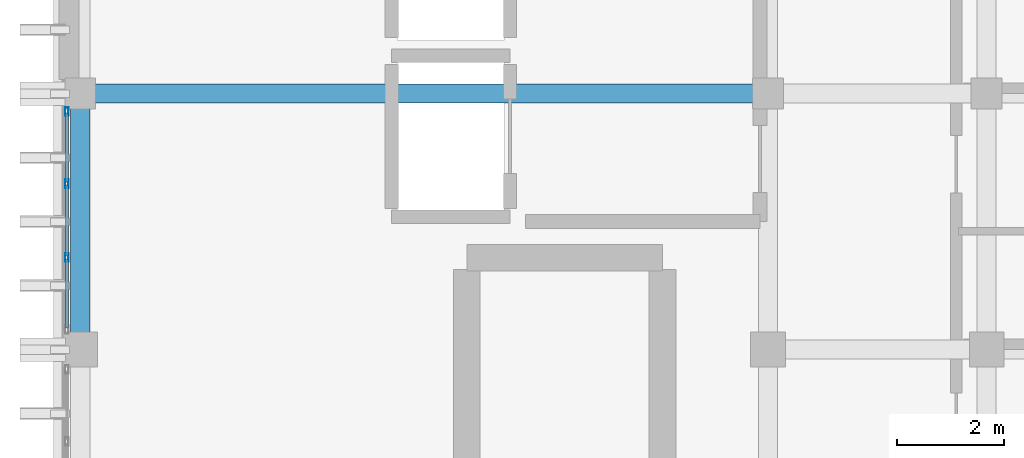
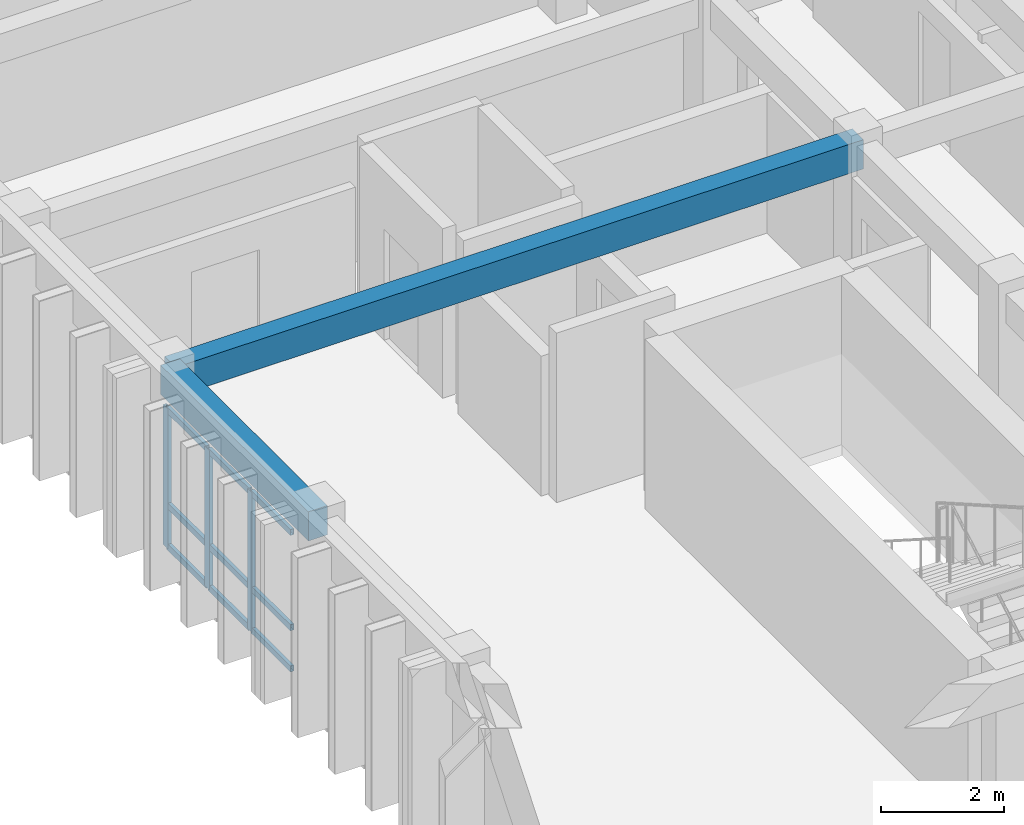
# One storey, part 18 of 49: 12 members, 2 beams, 1 element without a shape of its own.
"""IFC4 building model written with IfcOpenShell, lengths in metres."""

from ifc_helpers import new_model, si_unit, direction, frame, origin, origin_2d, place, context, subcontext, project, spatial, rectangle, hollow_rectangle, extrude, material, layer, layer_set, material_profile, profile_set, type_object, element, aggregate, save


model = new_model("IFC4")

# Units and contexts
model_context = context("Model", 3, precision=1e-05, world=origin(), true_north=direction((0.0, 1.0)))
body_context = subcontext(model_context, "Body", "Model", "MODEL_VIEW")
ifc_project = project(units=[si_unit("LENGTHUNIT", "METRE"), si_unit("AREAUNIT", "SQUARE_METRE"), si_unit("VOLUMEUNIT", "CUBIC_METRE"), si_unit("PLANEANGLEUNIT", "RADIAN"), si_unit("MASSUNIT", "GRAM", prefix="KILO")], contexts=[model_context])

# Site, building, storey
site_placement = place(None, origin())
site = spatial("IfcSite", under=ifc_project, at=site_placement, CompositionType="ELEMENT")
building_placement = place(site_placement, origin())
building = spatial("IfcBuilding", under=site, at=building_placement, Name="Nakhvara Creek Congress Hotel", CompositionType="ELEMENT")
storey_placement = place(building_placement, frame((0.0, 0.0, 39.0)))
storey = spatial("IfcBuildingStorey", under=building, at=storey_placement, Name="L09", CompositionType="ELEMENT", Elevation=39.0)

# Beams
ifc_material_1 = material(Name="Concrete C40/50", Category="concrete")
ifc_material_profile_1 = material_profile(ifc_material_1, rectangle(XDim=0.360107421875, YDim=0.580078125, at=origin_2d()), Name="RC-BM 360x580", Category="LoadBearing")
ifc_profile_set_1 = profile_set([ifc_material_profile_1], Name="Concrete C40/50")
beam_type = type_object("IfcBeamType", Name="BM-RC-360X580", PredefinedType="BEAM", material=ifc_profile_set_1)
beam_1_placement = place(storey_placement, frame((149.449951171875, 86.39990234375, 3.070068359375), z_axis=(0.0, 1.0, 0.0), x_axis=(-1.0, 0.0, 0.0)))
element("IfcBeam", 1, at=beam_1_placement, inside=storey, type_object=beam_type, Name="Beam B09-L09-2542", PredefinedType="BEAM", context=body_context, shape_type="SweptSolid", body=[
    extrude(rectangle(XDim=0.360107421875, YDim=0.580078125, at=origin_2d()), origin(), (0.0, 0.0, 1.0), 4.800048828125),
])
beam_2_placement = place(storey_placement, frame((149.449951171875, 91.199951171875, 3.070068359375), z_axis=(1.0, 0.0, 0.0), x_axis=(0.0, 1.0, 0.0)))
element("IfcBeam", 2, at=beam_2_placement, inside=storey, type_object=beam_type, Name="Beam B09-L09-2613", PredefinedType="BEAM", context=body_context, shape_type="SweptSolid", body=[
    extrude(rectangle(XDim=0.360107421875, YDim=0.580078125, at=origin_2d()), origin(), (0.0, 0.0, 1.0), 12.900146484375),
])

# Curtain wall, members
ifc_material_2 = material(Name="Bronze-anodised aluminium AW-6063-T6 and double-silver low-E glass", Category="aluminium")
ifc_layer = layer(ifc_material_2, 0.199951171875)
ifc_layer_set = layer_set([ifc_layer], Name="Bronze-anodised aluminium AW-6063-T6 and double-silver low-E glass")
curtain_wall_type = type_object("IfcCurtainWallType", Name="CW-HTL-UNIT", PredefinedType="USERDEFINED", material=ifc_layer_set)
curtain_wall_placement = place(storey_placement, origin())
curtain_wall = element("IfcCurtainWall", 3, at=curtain_wall_placement, inside=storey, type_object=curtain_wall_type, Name="Curtain Wall CW304", ObjectType="UNITISED", PredefinedType="USERDEFINED")
ifc_material_3 = material(Name="Bronze-anodised aluminium AW-6063-T6", Category="aluminium")
ifc_material_profile_2 = material_profile(ifc_material_3, hollow_rectangle(XDim=0.06494140625, YDim=0.159912109375, WallThickness=0.00390625, at=origin_2d()), Name="ALU-MULL 65x160x4", Category="LoadBearing")
ifc_profile_set_2 = profile_set([ifc_material_profile_2], Name="Bronze-anodised aluminium AW-6063-T6")
member_type_1 = type_object("IfcMemberType", Name="CW-MULL-160", PredefinedType="MULLION", material=ifc_profile_set_2)
member_1_placement = place(storey_placement, frame((149.199951171875, 88.125, 0.0), z_axis=(0.0, 0.0, 1.0), x_axis=(-1.0, 0.0, 0.0)))
member_1 = element("IfcMember", 4, at=member_1_placement, type_object=member_type_1, Name="CW304 mullion 2", PredefinedType="MULLION", context=body_context, shape_type="SweptSolid", body=[
    extrude(hollow_rectangle(XDim=0.06494140625, YDim=0.159912109375, WallThickness=0.00390625, at=origin_2d()), origin(), (0.0, 0.0, 1.0), 2.77197265625),
])
member_2_placement = place(storey_placement, frame((149.199951171875, 89.510009765625, 0.0), z_axis=(0.0, 0.0, 1.0), x_axis=(-1.0, 0.0, 0.0)))
member_2 = element("IfcMember", 5, at=member_2_placement, type_object=member_type_1, Name="CW304 mullion 3", PredefinedType="MULLION", context=body_context, shape_type="SweptSolid", body=[
    extrude(hollow_rectangle(XDim=0.06494140625, YDim=0.159912109375, WallThickness=0.00390625, at=origin_2d()), origin(), (0.0, 0.0, 1.0), 2.77197265625),
])
member_3_placement = place(storey_placement, frame((149.199951171875, 90.862548828125, 0.0), z_axis=(0.0, 0.0, 1.0), x_axis=(-1.0, 0.0, 0.0)))
member_3 = element("IfcMember", 6, at=member_3_placement, type_object=member_type_1, Name="CW304 mullion 4", PredefinedType="MULLION", context=body_context, shape_type="SweptSolid", body=[
    extrude(hollow_rectangle(XDim=0.06494140625, YDim=0.159912109375, WallThickness=0.00390625, at=origin_2d()), origin(), (0.0, 0.0, 1.0), 2.77197265625),
])
ifc_material_profile_3 = material_profile(ifc_material_3, hollow_rectangle(XDim=0.06494140625, YDim=0.1201171875, WallThickness=0.00390625, at=origin_2d()), Name="ALU-TRAN 65x120x4", Category="LoadBearing")
ifc_profile_set_3 = profile_set([ifc_material_profile_3], Name="Bronze-anodised aluminium AW-6063-T6")
member_type_2 = type_object("IfcMemberType", Name="CW-TRAN-120", PredefinedType="USERDEFINED", material=ifc_profile_set_3)
member_4_placement = place(storey_placement, frame((149.199951171875, 86.804931640625, 0.032470703125), z_axis=(0.0, 1.0, 0.0), x_axis=(-1.0, 0.0, 0.0)))
member_4 = element("IfcMember", 7, at=member_4_placement, type_object=member_type_2, Name="CW304 transom 1.1", ObjectType="TRANSOM", PredefinedType="USERDEFINED", context=body_context, shape_type="SweptSolid", body=[
    extrude(hollow_rectangle(XDim=0.06494140625, YDim=0.1201171875, WallThickness=0.00390625, at=origin_2d()), origin(), (0.0, 0.0, 1.0), 1.28759765625),
])
member_5_placement = place(storey_placement, frame((149.199951171875, 86.804931640625, 0.85009765625), z_axis=(0.0, 1.0, 0.0), x_axis=(-1.0, 0.0, 0.0)))
member_5 = element("IfcMember", 8, at=member_5_placement, type_object=member_type_2, Name="CW304 transom 1.2", ObjectType="TRANSOM", PredefinedType="USERDEFINED", context=body_context, shape_type="SweptSolid", body=[
    extrude(hollow_rectangle(XDim=0.06494140625, YDim=0.1201171875, WallThickness=0.00390625, at=origin_2d()), origin(), (0.0, 0.0, 1.0), 1.28759765625),
])
member_6_placement = place(storey_placement, frame((149.199951171875, 86.804931640625, 2.739501953125), z_axis=(0.0, 1.0, 0.0), x_axis=(-1.0, 0.0, 0.0)))
member_6 = element("IfcMember", 9, at=member_6_placement, type_object=member_type_2, Name="CW304 transom 1.3", ObjectType="TRANSOM", PredefinedType="USERDEFINED", context=body_context, shape_type="SweptSolid", body=[
    extrude(hollow_rectangle(XDim=0.06494140625, YDim=0.1201171875, WallThickness=0.00390625, at=origin_2d()), origin(), (0.0, 0.0, 1.0), 1.28759765625),
])
member_7_placement = place(storey_placement, frame((149.199951171875, 88.157470703125, 0.032470703125), z_axis=(0.0, 1.0, 0.0), x_axis=(-1.0, 0.0, 0.0)))
member_7 = element("IfcMember", 10, at=member_7_placement, type_object=member_type_2, Name="CW304 transom 2.1", ObjectType="TRANSOM", PredefinedType="USERDEFINED", context=body_context, shape_type="SweptSolid", body=[
    extrude(hollow_rectangle(XDim=0.06494140625, YDim=0.1201171875, WallThickness=0.00390625, at=origin_2d()), origin(), (0.0, 0.0, 1.0), 1.320068359375),
])
member_8_placement = place(storey_placement, frame((149.199951171875, 88.157470703125, 0.85009765625), z_axis=(0.0, 1.0, 0.0), x_axis=(-1.0, 0.0, 0.0)))
member_8 = element("IfcMember", 11, at=member_8_placement, type_object=member_type_2, Name="CW304 transom 2.2", ObjectType="TRANSOM", PredefinedType="USERDEFINED", context=body_context, shape_type="SweptSolid", body=[
    extrude(hollow_rectangle(XDim=0.06494140625, YDim=0.1201171875, WallThickness=0.00390625, at=origin_2d()), origin(), (0.0, 0.0, 1.0), 1.320068359375),
])
member_9_placement = place(storey_placement, frame((149.199951171875, 88.157470703125, 2.739501953125), z_axis=(0.0, 1.0, 0.0), x_axis=(-1.0, 0.0, 0.0)))
member_9 = element("IfcMember", 12, at=member_9_placement, type_object=member_type_2, Name="CW304 transom 2.3", ObjectType="TRANSOM", PredefinedType="USERDEFINED", context=body_context, shape_type="SweptSolid", body=[
    extrude(hollow_rectangle(XDim=0.06494140625, YDim=0.1201171875, WallThickness=0.00390625, at=origin_2d()), origin(), (0.0, 0.0, 1.0), 1.320068359375),
])
member_10_placement = place(storey_placement, frame((149.199951171875, 89.54248046875, 0.032470703125), z_axis=(0.0, 1.0, 0.0), x_axis=(-1.0, 0.0, 0.0)))
member_10 = element("IfcMember", 13, at=member_10_placement, type_object=member_type_2, Name="CW304 transom 3.1", ObjectType="TRANSOM", PredefinedType="USERDEFINED", context=body_context, shape_type="SweptSolid", body=[
    extrude(hollow_rectangle(XDim=0.06494140625, YDim=0.1201171875, WallThickness=0.00390625, at=origin_2d()), origin(), (0.0, 0.0, 1.0), 1.28759765625),
])
member_11_placement = place(storey_placement, frame((149.199951171875, 89.54248046875, 0.85009765625), z_axis=(0.0, 1.0, 0.0), x_axis=(-1.0, 0.0, 0.0)))
member_11 = element("IfcMember", 14, at=member_11_placement, type_object=member_type_2, Name="CW304 transom 3.2", ObjectType="TRANSOM", PredefinedType="USERDEFINED", context=body_context, shape_type="SweptSolid", body=[
    extrude(hollow_rectangle(XDim=0.06494140625, YDim=0.1201171875, WallThickness=0.00390625, at=origin_2d()), origin(), (0.0, 0.0, 1.0), 1.28759765625),
])
member_12_placement = place(storey_placement, frame((149.199951171875, 89.54248046875, 2.739501953125), z_axis=(0.0, 1.0, 0.0), x_axis=(-1.0, 0.0, 0.0)))
member_12 = element("IfcMember", 15, at=member_12_placement, type_object=member_type_2, Name="CW304 transom 3.3", ObjectType="TRANSOM", PredefinedType="USERDEFINED", context=body_context, shape_type="SweptSolid", body=[
    extrude(hollow_rectangle(XDim=0.06494140625, YDim=0.1201171875, WallThickness=0.00390625, at=origin_2d()), origin(), (0.0, 0.0, 1.0), 1.28759765625),
])
aggregate(curtain_wall, [member_1, member_2, member_3, member_4, member_5, member_6, member_7, member_8, member_9, member_10, member_11, member_12])

save(model, "model.ifc")
